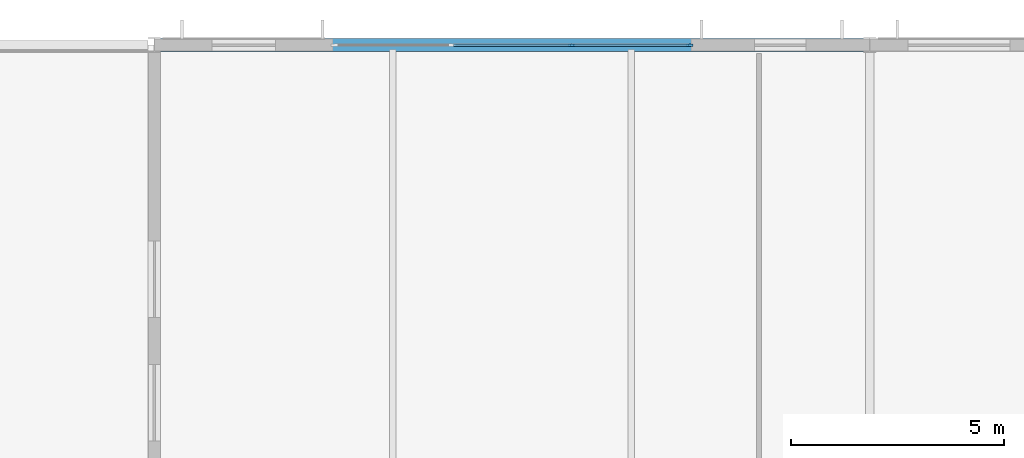
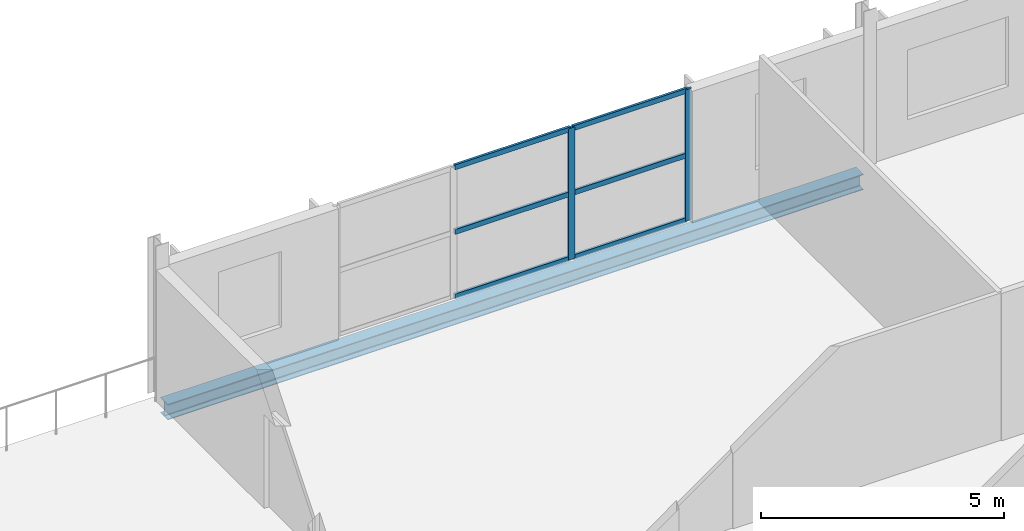
# One storey, part 6 of 18: 8 members, 1 beam, 1 element without a shape of its own.
"""IFC4 building model written with IfcOpenShell, lengths in metres."""

from ifc_helpers import new_model, si_unit, direction, frame, origin, origin_2d, place, context, subcontext, project, spatial, rectangle, i_section, extrude, material, material_profile, profile_set, type_object, element, aggregate, save


model = new_model("IFC4")

# Units and contexts
model_context = context("Model", 3, precision=1e-05, world=origin(), true_north=direction((0.0, 1.0)))
body_context = subcontext(model_context, "Body", "Model", "MODEL_VIEW")
ifc_project = project(units=[si_unit("LENGTHUNIT", "METRE"), si_unit("AREAUNIT", "SQUARE_METRE"), si_unit("VOLUMEUNIT", "CUBIC_METRE"), si_unit("PLANEANGLEUNIT", "RADIAN"), si_unit("MASSUNIT", "GRAM", prefix="KILO")], contexts=[model_context])

# Site, building, storey
site_placement = place(None, origin())
site = spatial("IfcSite", under=ifc_project, at=site_placement, CompositionType="ELEMENT")
building_placement = place(site_placement, origin())
building = spatial("IfcBuilding", under=site, at=building_placement, Name="Kimbaza Rail Terminus", CompositionType="ELEMENT")
storey_placement = place(building_placement, frame((0.0, 0.0, 24.89990234375)))
storey = spatial("IfcBuildingStorey", under=building, at=storey_placement, Name="L05", CompositionType="ELEMENT", Elevation=24.89990234375)

# Curtain wall, members
ifc_material_1 = material(Name="Anodised aluminium framing and solar low-E glazing", Category="aluminium")
curtain_wall_type = type_object("IfcCurtainWallType", Name="ARC-CW-OP2", PredefinedType="USERDEFINED", material=ifc_material_1)
curtain_wall_placement = place(storey_placement, origin())
curtain_wall = element("IfcCurtainWall", 1, at=curtain_wall_placement, inside=storey, type_object=curtain_wall_type, Name="Operations North Curtain Wall L05 Bay 1", ObjectType="STICK CURTAIN WALL", PredefinedType="USERDEFINED")
ifc_material_2 = material(Name="Anodised architectural aluminium", Category="aluminium")
ifc_material_profile_1 = material_profile(ifc_material_2, rectangle(XDim=0.05810546875, YDim=0.14990234375, at=origin_2d()), Name="MULLION 58x150")
ifc_profile_set_1 = profile_set([ifc_material_profile_1], Name="Anodised architectural aluminium")
member_type_1 = type_object("IfcMemberType", Name="ARC-CWM-06", PredefinedType="MULLION", material=ifc_profile_set_1)
member_1_placement = place(storey_placement, frame((81.800048828125, 133.0, 0.0), z_axis=(0.0, 0.0, 1.0), x_axis=(0.0, 1.0, 0.0)))
member_1 = element("IfcMember", 2, at=member_1_placement, type_object=member_type_1, Name="CW-06 mullion 3", PredefinedType="MULLION", context=body_context, shape_type="SweptSolid", body=[
    extrude(rectangle(XDim=0.05810546875, YDim=0.14990234375, at=origin_2d()), origin(), (0.0, 0.0, 1.0), 3.300048828125),
])
member_2_placement = place(storey_placement, frame((84.571044921875, 133.0, 0.0), z_axis=(0.0, 0.0, 1.0), x_axis=(0.0, 1.0, 0.0)))
member_2 = element("IfcMember", 3, at=member_2_placement, type_object=member_type_1, Name="CW-06 mullion 4", PredefinedType="MULLION", context=body_context, shape_type="SweptSolid", body=[
    extrude(rectangle(XDim=0.05810546875, YDim=0.14990234375, at=origin_2d()), origin(), (0.0, 0.0, 1.0), 3.300048828125),
])
ifc_material_3 = material(Name="Anodised architectural aluminium", Category="aluminium")
ifc_material_profile_2 = material_profile(ifc_material_3, rectangle(XDim=0.05810546875, YDim=0.125, at=origin_2d()), Name="TRANSOM 58x125")
ifc_profile_set_2 = profile_set([ifc_material_profile_2], Name="Anodised architectural aluminium")
member_type_2 = type_object("IfcMemberType", Name="ARC-CWT-06", PredefinedType="USERDEFINED", material=ifc_profile_set_2)
member_3_placement = place(storey_placement, frame((79.029052734375, 133.0, 0.029052734375), z_axis=(1.0, 0.0, 0.0), x_axis=(0.0, 1.0, 0.0)))
member_3 = element("IfcMember", 4, at=member_3_placement, type_object=member_type_2, Name="CW-06 transom 2.1", ObjectType="TRANSOM", PredefinedType="USERDEFINED", context=body_context, shape_type="SweptSolid", body=[
    extrude(rectangle(XDim=0.05810546875, YDim=0.125, at=origin_2d()), origin(), (0.0, 0.0, 1.0), 2.741943359375),
])
member_4_placement = place(storey_placement, frame((79.029052734375, 133.0, 1.650146484375), z_axis=(1.0, 0.0, 0.0), x_axis=(0.0, 1.0, 0.0)))
member_4 = element("IfcMember", 5, at=member_4_placement, type_object=member_type_2, Name="CW-06 transom 2.2", ObjectType="TRANSOM", PredefinedType="USERDEFINED", context=body_context, shape_type="SweptSolid", body=[
    extrude(rectangle(XDim=0.05810546875, YDim=0.125, at=origin_2d()), origin(), (0.0, 0.0, 1.0), 2.741943359375),
])
member_5_placement = place(storey_placement, frame((79.029052734375, 133.0, 3.27099609375), z_axis=(1.0, 0.0, 0.0), x_axis=(0.0, 1.0, 0.0)))
member_5 = element("IfcMember", 6, at=member_5_placement, type_object=member_type_2, Name="CW-06 transom 2.3", ObjectType="TRANSOM", PredefinedType="USERDEFINED", context=body_context, shape_type="SweptSolid", body=[
    extrude(rectangle(XDim=0.05810546875, YDim=0.125, at=origin_2d()), origin(), (0.0, 0.0, 1.0), 2.741943359375),
])
member_6_placement = place(storey_placement, frame((81.8291015625, 133.0, 0.029052734375), z_axis=(1.0, 0.0, 0.0), x_axis=(0.0, 1.0, 0.0)))
member_6 = element("IfcMember", 7, at=member_6_placement, type_object=member_type_2, Name="CW-06 transom 3.1", ObjectType="TRANSOM", PredefinedType="USERDEFINED", context=body_context, shape_type="SweptSolid", body=[
    extrude(rectangle(XDim=0.05810546875, YDim=0.125, at=origin_2d()), origin(), (0.0, 0.0, 1.0), 2.712890625),
])
member_7_placement = place(storey_placement, frame((81.8291015625, 133.0, 1.650146484375), z_axis=(1.0, 0.0, 0.0), x_axis=(0.0, 1.0, 0.0)))
member_7 = element("IfcMember", 8, at=member_7_placement, type_object=member_type_2, Name="CW-06 transom 3.2", ObjectType="TRANSOM", PredefinedType="USERDEFINED", context=body_context, shape_type="SweptSolid", body=[
    extrude(rectangle(XDim=0.05810546875, YDim=0.125, at=origin_2d()), origin(), (0.0, 0.0, 1.0), 2.712890625),
])
member_8_placement = place(storey_placement, frame((81.8291015625, 133.0, 3.27099609375), z_axis=(1.0, 0.0, 0.0), x_axis=(0.0, 1.0, 0.0)))
member_8 = element("IfcMember", 9, at=member_8_placement, type_object=member_type_2, Name="CW-06 transom 3.3", ObjectType="TRANSOM", PredefinedType="USERDEFINED", context=body_context, shape_type="SweptSolid", body=[
    extrude(rectangle(XDim=0.05810546875, YDim=0.125, at=origin_2d()), origin(), (0.0, 0.0, 1.0), 2.712890625),
])
aggregate(curtain_wall, [member_1, member_2, member_3, member_4, member_5, member_6, member_7, member_8])

# Beam
ifc_material_4 = material(Name="Steel S355", Category="steel")
ifc_material_profile_3 = material_profile(ifc_material_4, i_section(OverallWidth=0.300048828125, OverallDepth=0.389892578125, WebThickness=0.010986328125, FlangeThickness=0.01904296875, FilletRadius=0.027099609375, at=origin_2d()), Name="HEA 400")
ifc_profile_set_3 = profile_set([ifc_material_profile_3], Name="Steel S355")
beam_type = type_object("IfcBeamType", Name="STR-BM-HEA400", PredefinedType="SPANDREL", material=ifc_profile_set_3)
beam_placement = place(storey_placement, frame((72.14599609375, 133.0, -0.385009765625), z_axis=(1.0, 0.0, 0.0), x_axis=(0.0, 1.0, 0.0)))
element("IfcBeam", 10, at=beam_placement, inside=storey, type_object=beam_type, Name="Operations Girder L05 X0-Y2", PredefinedType="SPANDREL", context=body_context, shape_type="SweptSolid", body=[
    extrude(i_section(OverallWidth=0.300048828125, OverallDepth=0.389892578125, WebThickness=0.010986328125, FlangeThickness=0.01904296875, FilletRadius=0.027099609375, at=origin_2d()), origin(), (0.0, 0.0, 1.0), 16.508056640625),
])

save(model, "model.ifc")
